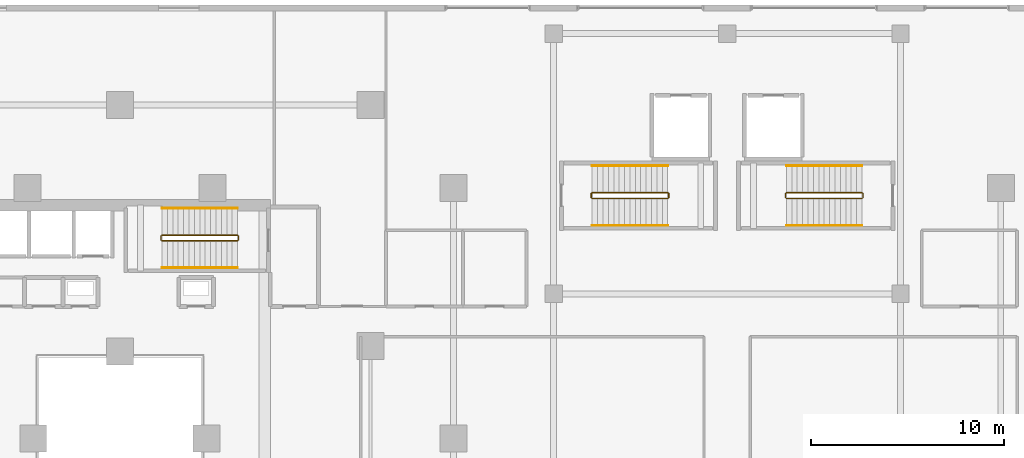
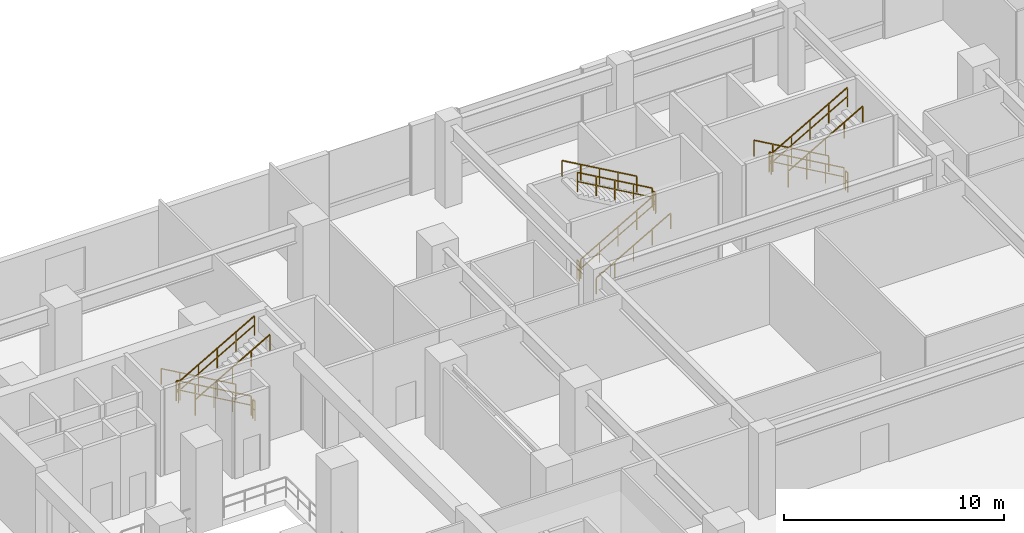
# One storey, part 21 of 22: 18 railings.
"""IFC4 building model written with IfcOpenShell, lengths in metres."""

from ifc_helpers import new_model, si_unit, direction, frame, origin, origin_2d, place, context, subcontext, project, spatial, rectangle, extrude, material, type_object, element, save


model = new_model("IFC4")

# Units and contexts
model_context = context("Model", 3, precision=1e-05, world=origin(), true_north=direction((0.0, 1.0)))
body_context = subcontext(model_context, "Body", "Model", "MODEL_VIEW")
ifc_project = project(units=[si_unit("LENGTHUNIT", "METRE"), si_unit("AREAUNIT", "SQUARE_METRE"), si_unit("VOLUMEUNIT", "CUBIC_METRE"), si_unit("PLANEANGLEUNIT", "RADIAN"), si_unit("MASSUNIT", "GRAM", prefix="KILO")], contexts=[model_context])

# Site, building, storey
site_placement = place(None, origin())
site = spatial("IfcSite", under=ifc_project, at=site_placement, CompositionType="ELEMENT")
building_placement = place(site_placement, origin())
building = spatial("IfcBuilding", under=site, at=building_placement, Name="Thornwick Lancets Civic Towers", CompositionType="ELEMENT")
storey_placement = place(building_placement, frame((0.0, 0.0, 4.800048828125)))
storey = spatial("IfcBuildingStorey", under=building, at=storey_placement, Name="L01", CompositionType="ELEMENT", Elevation=4.800048828125)

# Railings
ifc_material_1 = material(Name="Brushed stainless steel S355", Category="steel")
railing_type_1 = type_object("IfcRailingType", Name="RAIL_HANDRAIL", PredefinedType="HANDRAIL", material=ifc_material_1)
railing_1_placement = place(storey_placement, frame((31.60009765625, 38.949951171875, 0.159912109375)))
element("IfcRailing", 1, at=railing_1_placement, inside=storey, type_object=railing_type_1, Name="L01 ST-A2 stair handrail 1", PredefinedType="HANDRAIL", context=body_context, shape_type="SweptSolid", body=[
    extrude(rectangle(XDim=0.048095703125, YDim=0.048095703125, at=origin_2d()), frame((0.0, 0.0, 0.8857421875), z_axis=(-0.86825312469, 0.0, 0.496121468458), x_axis=(0.0, -1.0, 0.0)), (0.0, 0.0, 1.0), 4.514892578125),
    extrude(rectangle(XDim=0.0419921875, YDim=0.0419921875, at=origin_2d()), origin(), (0.0, 0.0, 1.0), 0.855712890625),
    extrude(rectangle(XDim=0.0419921875, YDim=0.0419921875, at=origin_2d()), frame((-0.97998046875, 0.0, 0.56005859375)), (0.0, 0.0, 1.0), 0.855712890625),
    extrude(rectangle(XDim=0.0419921875, YDim=0.0419921875, at=origin_2d()), frame((-1.9599609375, 0.0, 1.1201171875)), (0.0, 0.0, 1.0), 0.855712890625),
    extrude(rectangle(XDim=0.0419921875, YDim=0.0419921875, at=origin_2d()), frame((-2.940185546875, 0.0, 1.679931640625)), (0.0, 0.0, 1.0), 0.855712890625),
    extrude(rectangle(XDim=0.0419921875, YDim=0.0419921875, at=origin_2d()), frame((-3.920166015625, 0.0, 2.239990234375)), (0.0, 0.0, 1.0), 0.855712890625),
])
railing_2_placement = place(storey_placement, frame((27.679931640625, 35.85009765625, 2.56005859375)))
element("IfcRailing", 2, at=railing_2_placement, inside=storey, type_object=railing_type_1, Name="L01 ST-A2 stair handrail 2", PredefinedType="HANDRAIL", context=body_context, shape_type="SweptSolid", body=[
    extrude(rectangle(XDim=0.048095703125, YDim=0.048095703125, at=origin_2d()), frame((0.0, 0.0, 0.8857421875), z_axis=(0.86825312469, 0.0, 0.496121468458), x_axis=(0.0, 1.0, 0.0)), (0.0, 0.0, 1.0), 4.514892578125),
    extrude(rectangle(XDim=0.0419921875, YDim=0.0419921875, at=origin_2d()), origin(), (0.0, 0.0, 1.0), 0.855712890625),
    extrude(rectangle(XDim=0.0419921875, YDim=0.0419921875, at=origin_2d()), frame((0.97998046875, 0.0, 0.56005859375)), (0.0, 0.0, 1.0), 0.855712890625),
    extrude(rectangle(XDim=0.0419921875, YDim=0.0419921875, at=origin_2d()), frame((1.9599609375, 0.0, 1.1201171875)), (0.0, 0.0, 1.0), 0.855712890625),
    extrude(rectangle(XDim=0.0419921875, YDim=0.0419921875, at=origin_2d()), frame((2.940185546875, 0.0, 1.679931640625)), (0.0, 0.0, 1.0), 0.855712890625),
    extrude(rectangle(XDim=0.0419921875, YDim=0.0419921875, at=origin_2d()), frame((3.920166015625, 0.0, 2.239990234375)), (0.0, 0.0, 1.0), 0.855712890625),
])
railing_3_placement = place(storey_placement, frame((50.0, 38.050048828125, 0.159912109375)))
element("IfcRailing", 3, at=railing_3_placement, inside=storey, type_object=railing_type_1, Name="L01 ST-P5 stair handrail 1", PredefinedType="HANDRAIL", context=body_context, shape_type="SweptSolid", body=[
    extrude(rectangle(XDim=0.048095703125, YDim=0.048095703125, at=origin_2d()), frame((0.0, 0.0, 0.8857421875), z_axis=(0.868239814368, 0.0, 0.496144761885), x_axis=(0.0, 1.0, 0.0)), (0.0, 0.0, 1.0), 4.514892578125),
    extrude(rectangle(XDim=0.0419921875, YDim=0.0419921875, at=origin_2d()), origin(), (0.0, 0.0, 1.0), 0.855712890625),
    extrude(rectangle(XDim=0.0419921875, YDim=0.0419921875, at=origin_2d()), frame((0.97998046875, 0.0, 0.56005859375)), (0.0, 0.0, 1.0), 0.855712890625),
    extrude(rectangle(XDim=0.0419921875, YDim=0.0419921875, at=origin_2d()), frame((1.9599609375, 0.0, 1.1201171875)), (0.0, 0.0, 1.0), 0.855712890625),
    extrude(rectangle(XDim=0.0419921875, YDim=0.0419921875, at=origin_2d()), frame((2.93994140625, 0.0, 1.679931640625)), (0.0, 0.0, 1.0), 0.855712890625),
    extrude(rectangle(XDim=0.0419921875, YDim=0.0419921875, at=origin_2d()), frame((3.919921875, 0.0, 2.239990234375)), (0.0, 0.0, 1.0), 0.855712890625),
])
for number, where, name in (
    (4, (53.919921875, 41.14990234375, 2.56005859375), "L01 ST-P5 stair handrail 2"),
    (5, (64.0, 41.14990234375, 0.159912109375), "L01 ST-P6 stair handrail 1"),
):
    element("IfcRailing", number, at=place(storey_placement, frame(where)), inside=storey, type_object=railing_type_1, Name=name, PredefinedType="HANDRAIL", context=body_context, shape_type="SweptSolid", body=[
        extrude(rectangle(XDim=0.048095703125, YDim=0.048095703125, at=origin_2d()), frame((0.0, 0.0, 0.8857421875), z_axis=(-0.868239814368, 0.0, 0.496144761885), x_axis=(0.0, -1.0, 0.0)), (0.0, 0.0, 1.0), 4.514892578125),
        extrude(rectangle(XDim=0.0419921875, YDim=0.0419921875, at=origin_2d()), origin(), (0.0, 0.0, 1.0), 0.855712890625),
        extrude(rectangle(XDim=0.0419921875, YDim=0.0419921875, at=origin_2d()), frame((-0.97998046875, 0.0, 0.56005859375)), (0.0, 0.0, 1.0), 0.855712890625),
        extrude(rectangle(XDim=0.0419921875, YDim=0.0419921875, at=origin_2d()), frame((-1.9599609375, 0.0, 1.1201171875)), (0.0, 0.0, 1.0), 0.855712890625),
        extrude(rectangle(XDim=0.0419921875, YDim=0.0419921875, at=origin_2d()), frame((-2.93994140625, 0.0, 1.679931640625)), (0.0, 0.0, 1.0), 0.855712890625),
        extrude(rectangle(XDim=0.0419921875, YDim=0.0419921875, at=origin_2d()), frame((-3.919921875, 0.0, 2.239990234375)), (0.0, 0.0, 1.0), 0.855712890625),
    ])
railing_4_placement = place(storey_placement, frame((60.080078125, 38.050048828125, 2.56005859375)))
element("IfcRailing", 6, at=railing_4_placement, inside=storey, type_object=railing_type_1, Name="L01 ST-P6 stair handrail 2", PredefinedType="HANDRAIL", context=body_context, shape_type="SweptSolid", body=[
    extrude(rectangle(XDim=0.048095703125, YDim=0.048095703125, at=origin_2d()), frame((0.0, 0.0, 0.8857421875), z_axis=(0.868239814368, 0.0, 0.496144761885), x_axis=(0.0, 1.0, 0.0)), (0.0, 0.0, 1.0), 4.514892578125),
    extrude(rectangle(XDim=0.0419921875, YDim=0.0419921875, at=origin_2d()), origin(), (0.0, 0.0, 1.0), 0.855712890625),
    extrude(rectangle(XDim=0.0419921875, YDim=0.0419921875, at=origin_2d()), frame((0.97998046875, 0.0, 0.56005859375)), (0.0, 0.0, 1.0), 0.855712890625),
    extrude(rectangle(XDim=0.0419921875, YDim=0.0419921875, at=origin_2d()), frame((1.9599609375, 0.0, 1.1201171875)), (0.0, 0.0, 1.0), 0.855712890625),
    extrude(rectangle(XDim=0.0419921875, YDim=0.0419921875, at=origin_2d()), frame((2.93994140625, 0.0, 1.679931640625)), (0.0, 0.0, 1.0), 0.855712890625),
    extrude(rectangle(XDim=0.0419921875, YDim=0.0419921875, at=origin_2d()), frame((3.919921875, 0.0, 2.239990234375)), (0.0, 0.0, 1.0), 0.855712890625),
])
ifc_material_2 = material(Name="Steel S355JR", Category="steel")
railing_type_2 = type_object("IfcRailingType", Name="RAIL_STAIR_GUARD", PredefinedType="GUARDRAIL", material=ifc_material_2)
railing_5_placement = place(storey_placement, frame((31.60009765625, 37.550048828125, 0.159912109375)))
element("IfcRailing", 7, at=railing_5_placement, inside=storey, type_object=railing_type_2, Name="L01 ST-A2 stair guard 1", PredefinedType="GUARDRAIL", context=body_context, shape_type="SweptSolid", body=[
    extrude(rectangle(XDim=0.048095703125, YDim=0.048095703125, at=origin_2d()), frame((0.0, 0.0, 1.076171875), z_axis=(-0.86825312469, 0.0, 0.496121468458), x_axis=(0.0, -1.0, 0.0)), (0.0, 0.0, 1.0), 4.514892578125),
    extrude(rectangle(XDim=0.0419921875, YDim=0.0419921875, at=origin_2d()), frame((-0.032470703125, 0.0, 0.590576171875), z_axis=(-0.86825312469, 0.0, 0.496121468458), x_axis=(0.0, -1.0, 0.0)), (0.0, 0.0, 1.0), 1.0537109375),
    extrude(rectangle(XDim=0.0419921875, YDim=0.0419921875, at=origin_2d()), frame((-1.0126953125, 0.0, 1.150634765625), z_axis=(-0.86825312469, 0.0, 0.496121468458), x_axis=(0.0, -1.0, 0.0)), (0.0, 0.0, 1.0), 1.0537109375),
    extrude(rectangle(XDim=0.0419921875, YDim=0.0419921875, at=origin_2d()), frame((-1.99267578125, 0.0, 1.710693359375), z_axis=(-0.86825312469, 0.0, 0.496121468458), x_axis=(0.0, -1.0, 0.0)), (0.0, 0.0, 1.0), 1.0537109375),
    extrude(rectangle(XDim=0.0419921875, YDim=0.0419921875, at=origin_2d()), frame((-2.97265625, 0.0, 2.270751953125), z_axis=(-0.86825312469, 0.0, 0.496121468458), x_axis=(0.0, -1.0, 0.0)), (0.0, 0.0, 1.0), 1.0537109375),
    extrude(rectangle(XDim=0.0419921875, YDim=0.0419921875, at=origin_2d()), origin(), (0.0, 0.0, 1.0), 1.0458984375),
    extrude(rectangle(XDim=0.0419921875, YDim=0.0419921875, at=origin_2d()), frame((-0.97998046875, 0.0, 0.56005859375)), (0.0, 0.0, 1.0), 1.0458984375),
    extrude(rectangle(XDim=0.0419921875, YDim=0.0419921875, at=origin_2d()), frame((-1.9599609375, 0.0, 1.1201171875)), (0.0, 0.0, 1.0), 1.0458984375),
    extrude(rectangle(XDim=0.0419921875, YDim=0.0419921875, at=origin_2d()), frame((-2.940185546875, 0.0, 1.679931640625)), (0.0, 0.0, 1.0), 1.0458984375),
    extrude(rectangle(XDim=0.0419921875, YDim=0.0419921875, at=origin_2d()), frame((-3.920166015625, 0.0, 2.239990234375)), (0.0, 0.0, 1.0), 1.0458984375),
])
railing_6_placement = place(storey_placement, frame((27.6298828125, 37.5, 2.39990234375)))
element("IfcRailing", 8, at=railing_6_placement, inside=storey, type_object=railing_type_2, Name="L01 ST-A2 stair guard 2", PredefinedType="GUARDRAIL", context=body_context, shape_type="SweptSolid", body=[
    extrude(rectangle(XDim=0.048095703125, YDim=0.048095703125, at=origin_2d()), frame((0.0, 0.0, 1.076171875), z_axis=(0.0, -1.0, 0.0), x_axis=(1.0, 0.0, 0.0)), (0.0, 0.0, 1.0), 0.199951171875),
    extrude(rectangle(XDim=0.0419921875, YDim=0.0419921875, at=origin_2d()), frame((0.0, -0.03759765625, 0.572021484375), z_axis=(0.0, -1.0, 0.0), x_axis=(1.0, 0.0, 0.0)), (0.0, 0.0, 1.0), 0.125),
    extrude(rectangle(XDim=0.0419921875, YDim=0.0419921875, at=origin_2d()), origin(), (0.0, 0.0, 1.0), 1.0458984375),
    extrude(rectangle(XDim=0.0419921875, YDim=0.0419921875, at=origin_2d()), frame((0.0, -0.199951171875, 0.0)), (0.0, 0.0, 1.0), 1.0458984375),
])
railing_7_placement = place(storey_placement, frame((27.679931640625, 37.25, 2.56005859375)))
element("IfcRailing", 9, at=railing_7_placement, inside=storey, type_object=railing_type_2, Name="L01 ST-A2 stair guard 3", PredefinedType="GUARDRAIL", context=body_context, shape_type="SweptSolid", body=[
    extrude(rectangle(XDim=0.048095703125, YDim=0.048095703125, at=origin_2d()), frame((0.0, 0.0, 1.076171875), z_axis=(0.86825312469, 0.0, 0.496121468458), x_axis=(0.0, 1.0, 0.0)), (0.0, 0.0, 1.0), 4.514892578125),
    extrude(rectangle(XDim=0.0419921875, YDim=0.0419921875, at=origin_2d()), frame((0.032470703125, 0.0, 0.590576171875), z_axis=(0.86825312469, 0.0, 0.496121468458), x_axis=(0.0, 1.0, 0.0)), (0.0, 0.0, 1.0), 1.0537109375),
    extrude(rectangle(XDim=0.0419921875, YDim=0.0419921875, at=origin_2d()), frame((1.0126953125, 0.0, 1.150634765625), z_axis=(0.86825312469, 0.0, 0.496121468458), x_axis=(0.0, 1.0, 0.0)), (0.0, 0.0, 1.0), 1.0537109375),
    extrude(rectangle(XDim=0.0419921875, YDim=0.0419921875, at=origin_2d()), frame((1.99267578125, 0.0, 1.710693359375), z_axis=(0.86825312469, 0.0, 0.496121468458), x_axis=(0.0, 1.0, 0.0)), (0.0, 0.0, 1.0), 1.0537109375),
    extrude(rectangle(XDim=0.0419921875, YDim=0.0419921875, at=origin_2d()), frame((2.97265625, 0.0, 2.270751953125), z_axis=(0.86825312469, 0.0, 0.496121468458), x_axis=(0.0, 1.0, 0.0)), (0.0, 0.0, 1.0), 1.0537109375),
    extrude(rectangle(XDim=0.0419921875, YDim=0.0419921875, at=origin_2d()), origin(), (0.0, 0.0, 1.0), 1.0458984375),
    extrude(rectangle(XDim=0.0419921875, YDim=0.0419921875, at=origin_2d()), frame((0.97998046875, 0.0, 0.56005859375)), (0.0, 0.0, 1.0), 1.0458984375),
    extrude(rectangle(XDim=0.0419921875, YDim=0.0419921875, at=origin_2d()), frame((1.9599609375, 0.0, 1.1201171875)), (0.0, 0.0, 1.0), 1.0458984375),
    extrude(rectangle(XDim=0.0419921875, YDim=0.0419921875, at=origin_2d()), frame((2.940185546875, 0.0, 1.679931640625)), (0.0, 0.0, 1.0), 1.0458984375),
    extrude(rectangle(XDim=0.0419921875, YDim=0.0419921875, at=origin_2d()), frame((3.920166015625, 0.0, 2.239990234375)), (0.0, 0.0, 1.0), 1.0458984375),
])
railing_8_placement = place(storey_placement, frame((31.64990234375, 37.5, 0.0)))
element("IfcRailing", 10, at=railing_8_placement, inside=storey, type_object=railing_type_2, Name="L01 ST-A2 stair guard 4", PredefinedType="GUARDRAIL", context=body_context, shape_type="SweptSolid", body=[
    extrude(rectangle(XDim=0.048095703125, YDim=0.048095703125, at=origin_2d()), frame((0.0, 0.0, 1.076171875), z_axis=(0.0, -1.0, 0.0), x_axis=(1.0, 0.0, 0.0)), (0.0, 0.0, 1.0), 0.199951171875),
    extrude(rectangle(XDim=0.0419921875, YDim=0.0419921875, at=origin_2d()), frame((0.0, -0.03759765625, 0.572021484375), z_axis=(0.0, -1.0, 0.0), x_axis=(1.0, 0.0, 0.0)), (0.0, 0.0, 1.0), 0.125),
    extrude(rectangle(XDim=0.0419921875, YDim=0.0419921875, at=origin_2d()), origin(), (0.0, 0.0, 1.0), 1.0458984375),
    extrude(rectangle(XDim=0.0419921875, YDim=0.0419921875, at=origin_2d()), frame((0.0, -0.199951171875, 0.0)), (0.0, 0.0, 1.0), 1.0458984375),
])
railing_9_placement = place(storey_placement, frame((50.0, 39.449951171875, 0.159912109375)))
element("IfcRailing", 11, at=railing_9_placement, inside=storey, type_object=railing_type_2, Name="L01 ST-P5 stair guard 1", PredefinedType="GUARDRAIL", context=body_context, shape_type="SweptSolid", body=[
    extrude(rectangle(XDim=0.048095703125, YDim=0.048095703125, at=origin_2d()), frame((0.0, 0.0, 1.076171875), z_axis=(0.868239814368, 0.0, 0.496144761885), x_axis=(0.0, 1.0, 0.0)), (0.0, 0.0, 1.0), 4.514892578125),
    extrude(rectangle(XDim=0.0419921875, YDim=0.0419921875, at=origin_2d()), frame((0.032470703125, 0.0, 0.590576171875), z_axis=(0.868239814368, 0.0, 0.496144761885), x_axis=(0.0, 1.0, 0.0)), (0.0, 0.0, 1.0), 1.0537109375),
    extrude(rectangle(XDim=0.0419921875, YDim=0.0419921875, at=origin_2d()), frame((1.012451171875, 0.0, 1.150634765625), z_axis=(0.868239814368, 0.0, 0.496144761885), x_axis=(0.0, 1.0, 0.0)), (0.0, 0.0, 1.0), 1.0537109375),
    extrude(rectangle(XDim=0.0419921875, YDim=0.0419921875, at=origin_2d()), frame((1.992431640625, 0.0, 1.710693359375), z_axis=(0.868239814368, 0.0, 0.496144761885), x_axis=(0.0, 1.0, 0.0)), (0.0, 0.0, 1.0), 1.0537109375),
    extrude(rectangle(XDim=0.0419921875, YDim=0.0419921875, at=origin_2d()), frame((2.972412109375, 0.0, 2.270751953125), z_axis=(0.868239814368, 0.0, 0.496144761885), x_axis=(0.0, 1.0, 0.0)), (0.0, 0.0, 1.0), 1.0537109375),
    extrude(rectangle(XDim=0.0419921875, YDim=0.0419921875, at=origin_2d()), origin(), (0.0, 0.0, 1.0), 1.0458984375),
    extrude(rectangle(XDim=0.0419921875, YDim=0.0419921875, at=origin_2d()), frame((0.97998046875, 0.0, 0.56005859375)), (0.0, 0.0, 1.0), 1.0458984375),
    extrude(rectangle(XDim=0.0419921875, YDim=0.0419921875, at=origin_2d()), frame((1.9599609375, 0.0, 1.1201171875)), (0.0, 0.0, 1.0), 1.0458984375),
    extrude(rectangle(XDim=0.0419921875, YDim=0.0419921875, at=origin_2d()), frame((2.93994140625, 0.0, 1.679931640625)), (0.0, 0.0, 1.0), 1.0458984375),
    extrude(rectangle(XDim=0.0419921875, YDim=0.0419921875, at=origin_2d()), frame((3.919921875, 0.0, 2.239990234375)), (0.0, 0.0, 1.0), 1.0458984375),
])
railing_10_placement = place(storey_placement, frame((53.969970703125, 39.5, 2.39990234375)))
element("IfcRailing", 12, at=railing_10_placement, inside=storey, type_object=railing_type_2, Name="L01 ST-P5 stair guard 2", PredefinedType="GUARDRAIL", context=body_context, shape_type="SweptSolid", body=[
    extrude(rectangle(XDim=0.048095703125, YDim=0.048095703125, at=origin_2d()), frame((0.0, 0.0, 1.076171875), z_axis=(0.0, 1.0, 0.0), x_axis=(-1.0, 0.0, 0.0)), (0.0, 0.0, 1.0), 0.199951171875),
    extrude(rectangle(XDim=0.0419921875, YDim=0.0419921875, at=origin_2d()), frame((0.0, 0.03759765625, 0.572021484375), z_axis=(0.0, 1.0, 0.0), x_axis=(-1.0, 0.0, 0.0)), (0.0, 0.0, 1.0), 0.125),
    extrude(rectangle(XDim=0.0419921875, YDim=0.0419921875, at=origin_2d()), origin(), (0.0, 0.0, 1.0), 1.0458984375),
    extrude(rectangle(XDim=0.0419921875, YDim=0.0419921875, at=origin_2d()), frame((0.0, 0.199951171875, 0.0)), (0.0, 0.0, 1.0), 1.0458984375),
])
railing_11_placement = place(storey_placement, frame((53.919921875, 39.75, 2.56005859375)))
element("IfcRailing", 13, at=railing_11_placement, inside=storey, type_object=railing_type_2, Name="L01 ST-P5 stair guard 3", PredefinedType="GUARDRAIL", context=body_context, shape_type="SweptSolid", body=[
    extrude(rectangle(XDim=0.048095703125, YDim=0.048095703125, at=origin_2d()), frame((0.0, 0.0, 1.076171875), z_axis=(-0.868239814368, 0.0, 0.496144761885), x_axis=(0.0, -1.0, 0.0)), (0.0, 0.0, 1.0), 4.514892578125),
    extrude(rectangle(XDim=0.0419921875, YDim=0.0419921875, at=origin_2d()), frame((-0.032470703125, 0.0, 0.590576171875), z_axis=(-0.868239814368, 0.0, 0.496144761885), x_axis=(0.0, -1.0, 0.0)), (0.0, 0.0, 1.0), 1.0537109375),
    extrude(rectangle(XDim=0.0419921875, YDim=0.0419921875, at=origin_2d()), frame((-1.012451171875, 0.0, 1.150634765625), z_axis=(-0.868239814368, 0.0, 0.496144761885), x_axis=(0.0, -1.0, 0.0)), (0.0, 0.0, 1.0), 1.0537109375),
    extrude(rectangle(XDim=0.0419921875, YDim=0.0419921875, at=origin_2d()), frame((-1.992431640625, 0.0, 1.710693359375), z_axis=(-0.868239814368, 0.0, 0.496144761885), x_axis=(0.0, -1.0, 0.0)), (0.0, 0.0, 1.0), 1.0537109375),
    extrude(rectangle(XDim=0.0419921875, YDim=0.0419921875, at=origin_2d()), frame((-2.972412109375, 0.0, 2.270751953125), z_axis=(-0.868239814368, 0.0, 0.496144761885), x_axis=(0.0, -1.0, 0.0)), (0.0, 0.0, 1.0), 1.0537109375),
    extrude(rectangle(XDim=0.0419921875, YDim=0.0419921875, at=origin_2d()), origin(), (0.0, 0.0, 1.0), 1.0458984375),
    extrude(rectangle(XDim=0.0419921875, YDim=0.0419921875, at=origin_2d()), frame((-0.97998046875, 0.0, 0.56005859375)), (0.0, 0.0, 1.0), 1.0458984375),
    extrude(rectangle(XDim=0.0419921875, YDim=0.0419921875, at=origin_2d()), frame((-1.9599609375, 0.0, 1.1201171875)), (0.0, 0.0, 1.0), 1.0458984375),
    extrude(rectangle(XDim=0.0419921875, YDim=0.0419921875, at=origin_2d()), frame((-2.93994140625, 0.0, 1.679931640625)), (0.0, 0.0, 1.0), 1.0458984375),
    extrude(rectangle(XDim=0.0419921875, YDim=0.0419921875, at=origin_2d()), frame((-3.919921875, 0.0, 2.239990234375)), (0.0, 0.0, 1.0), 1.0458984375),
])
railing_12_placement = place(storey_placement, frame((49.949951171875, 39.5, 0.0)))
element("IfcRailing", 14, at=railing_12_placement, inside=storey, type_object=railing_type_2, Name="L01 ST-P5 stair guard 4", PredefinedType="GUARDRAIL", context=body_context, shape_type="SweptSolid", body=[
    extrude(rectangle(XDim=0.048095703125, YDim=0.048095703125, at=origin_2d()), frame((0.0, 0.0, 1.076171875), z_axis=(0.0, 1.0, 0.0), x_axis=(-1.0, 0.0, 0.0)), (0.0, 0.0, 1.0), 0.199951171875),
    extrude(rectangle(XDim=0.0419921875, YDim=0.0419921875, at=origin_2d()), frame((0.0, 0.03759765625, 0.572021484375), z_axis=(0.0, 1.0, 0.0), x_axis=(-1.0, 0.0, 0.0)), (0.0, 0.0, 1.0), 0.125),
    extrude(rectangle(XDim=0.0419921875, YDim=0.0419921875, at=origin_2d()), origin(), (0.0, 0.0, 1.0), 1.0458984375),
    extrude(rectangle(XDim=0.0419921875, YDim=0.0419921875, at=origin_2d()), frame((0.0, 0.199951171875, 0.0)), (0.0, 0.0, 1.0), 1.0458984375),
])
railing_13_placement = place(storey_placement, frame((64.0, 39.75, 0.159912109375)))
element("IfcRailing", 15, at=railing_13_placement, inside=storey, type_object=railing_type_2, Name="L01 ST-P6 stair guard 1", PredefinedType="GUARDRAIL", context=body_context, shape_type="SweptSolid", body=[
    extrude(rectangle(XDim=0.048095703125, YDim=0.048095703125, at=origin_2d()), frame((0.0, 0.0, 1.076171875), z_axis=(-0.868239814368, 0.0, 0.496144761885), x_axis=(0.0, -1.0, 0.0)), (0.0, 0.0, 1.0), 4.514892578125),
    extrude(rectangle(XDim=0.0419921875, YDim=0.0419921875, at=origin_2d()), frame((-0.032470703125, 0.0, 0.590576171875), z_axis=(-0.868239814368, 0.0, 0.496144761885), x_axis=(0.0, -1.0, 0.0)), (0.0, 0.0, 1.0), 1.0537109375),
    extrude(rectangle(XDim=0.0419921875, YDim=0.0419921875, at=origin_2d()), frame((-1.012451171875, 0.0, 1.150634765625), z_axis=(-0.868239814368, 0.0, 0.496144761885), x_axis=(0.0, -1.0, 0.0)), (0.0, 0.0, 1.0), 1.0537109375),
    extrude(rectangle(XDim=0.0419921875, YDim=0.0419921875, at=origin_2d()), frame((-1.992431640625, 0.0, 1.710693359375), z_axis=(-0.868239814368, 0.0, 0.496144761885), x_axis=(0.0, -1.0, 0.0)), (0.0, 0.0, 1.0), 1.0537109375),
    extrude(rectangle(XDim=0.0419921875, YDim=0.0419921875, at=origin_2d()), frame((-2.972412109375, 0.0, 2.270751953125), z_axis=(-0.868239814368, 0.0, 0.496144761885), x_axis=(0.0, -1.0, 0.0)), (0.0, 0.0, 1.0), 1.0537109375),
    extrude(rectangle(XDim=0.0419921875, YDim=0.0419921875, at=origin_2d()), origin(), (0.0, 0.0, 1.0), 1.0458984375),
    extrude(rectangle(XDim=0.0419921875, YDim=0.0419921875, at=origin_2d()), frame((-0.97998046875, 0.0, 0.56005859375)), (0.0, 0.0, 1.0), 1.0458984375),
    extrude(rectangle(XDim=0.0419921875, YDim=0.0419921875, at=origin_2d()), frame((-1.9599609375, 0.0, 1.1201171875)), (0.0, 0.0, 1.0), 1.0458984375),
    extrude(rectangle(XDim=0.0419921875, YDim=0.0419921875, at=origin_2d()), frame((-2.93994140625, 0.0, 1.679931640625)), (0.0, 0.0, 1.0), 1.0458984375),
    extrude(rectangle(XDim=0.0419921875, YDim=0.0419921875, at=origin_2d()), frame((-3.919921875, 0.0, 2.239990234375)), (0.0, 0.0, 1.0), 1.0458984375),
])
railing_14_placement = place(storey_placement, frame((60.030029296875, 39.699951171875, 2.39990234375)))
element("IfcRailing", 16, at=railing_14_placement, inside=storey, type_object=railing_type_2, Name="L01 ST-P6 stair guard 2", PredefinedType="GUARDRAIL", context=body_context, shape_type="SweptSolid", body=[
    extrude(rectangle(XDim=0.048095703125, YDim=0.048095703125, at=origin_2d()), frame((0.0, 0.0, 1.076171875), z_axis=(0.0, -1.0, 0.0), x_axis=(1.0, 0.0, 0.0)), (0.0, 0.0, 1.0), 0.199951171875),
    extrude(rectangle(XDim=0.0419921875, YDim=0.0419921875, at=origin_2d()), frame((0.0, -0.03759765625, 0.572021484375), z_axis=(0.0, -1.0, 0.0), x_axis=(1.0, 0.0, 0.0)), (0.0, 0.0, 1.0), 0.125),
    extrude(rectangle(XDim=0.0419921875, YDim=0.0419921875, at=origin_2d()), origin(), (0.0, 0.0, 1.0), 1.0458984375),
    extrude(rectangle(XDim=0.0419921875, YDim=0.0419921875, at=origin_2d()), frame((0.0, -0.199951171875, 0.0)), (0.0, 0.0, 1.0), 1.0458984375),
])
railing_15_placement = place(storey_placement, frame((60.080078125, 39.449951171875, 2.56005859375)))
element("IfcRailing", 17, at=railing_15_placement, inside=storey, type_object=railing_type_2, Name="L01 ST-P6 stair guard 3", PredefinedType="GUARDRAIL", context=body_context, shape_type="SweptSolid", body=[
    extrude(rectangle(XDim=0.048095703125, YDim=0.048095703125, at=origin_2d()), frame((0.0, 0.0, 1.076171875), z_axis=(0.868239814368, 0.0, 0.496144761885), x_axis=(0.0, 1.0, 0.0)), (0.0, 0.0, 1.0), 4.514892578125),
    extrude(rectangle(XDim=0.0419921875, YDim=0.0419921875, at=origin_2d()), frame((0.032470703125, 0.0, 0.590576171875), z_axis=(0.868239814368, 0.0, 0.496144761885), x_axis=(0.0, 1.0, 0.0)), (0.0, 0.0, 1.0), 1.0537109375),
    extrude(rectangle(XDim=0.0419921875, YDim=0.0419921875, at=origin_2d()), frame((1.012451171875, 0.0, 1.150634765625), z_axis=(0.868239814368, 0.0, 0.496144761885), x_axis=(0.0, 1.0, 0.0)), (0.0, 0.0, 1.0), 1.0537109375),
    extrude(rectangle(XDim=0.0419921875, YDim=0.0419921875, at=origin_2d()), frame((1.992431640625, 0.0, 1.710693359375), z_axis=(0.868239814368, 0.0, 0.496144761885), x_axis=(0.0, 1.0, 0.0)), (0.0, 0.0, 1.0), 1.0537109375),
    extrude(rectangle(XDim=0.0419921875, YDim=0.0419921875, at=origin_2d()), frame((2.972412109375, 0.0, 2.270751953125), z_axis=(0.868239814368, 0.0, 0.496144761885), x_axis=(0.0, 1.0, 0.0)), (0.0, 0.0, 1.0), 1.0537109375),
    extrude(rectangle(XDim=0.0419921875, YDim=0.0419921875, at=origin_2d()), origin(), (0.0, 0.0, 1.0), 1.0458984375),
    extrude(rectangle(XDim=0.0419921875, YDim=0.0419921875, at=origin_2d()), frame((0.97998046875, 0.0, 0.56005859375)), (0.0, 0.0, 1.0), 1.0458984375),
    extrude(rectangle(XDim=0.0419921875, YDim=0.0419921875, at=origin_2d()), frame((1.9599609375, 0.0, 1.1201171875)), (0.0, 0.0, 1.0), 1.0458984375),
    extrude(rectangle(XDim=0.0419921875, YDim=0.0419921875, at=origin_2d()), frame((2.93994140625, 0.0, 1.679931640625)), (0.0, 0.0, 1.0), 1.0458984375),
    extrude(rectangle(XDim=0.0419921875, YDim=0.0419921875, at=origin_2d()), frame((3.919921875, 0.0, 2.239990234375)), (0.0, 0.0, 1.0), 1.0458984375),
])
railing_16_placement = place(storey_placement, frame((64.050048828125, 39.699951171875, 0.0)))
element("IfcRailing", 18, at=railing_16_placement, inside=storey, type_object=railing_type_2, Name="L01 ST-P6 stair guard 4", PredefinedType="GUARDRAIL", context=body_context, shape_type="SweptSolid", body=[
    extrude(rectangle(XDim=0.048095703125, YDim=0.048095703125, at=origin_2d()), frame((0.0, 0.0, 1.076171875), z_axis=(0.0, -1.0, 0.0), x_axis=(1.0, 0.0, 0.0)), (0.0, 0.0, 1.0), 0.199951171875),
    extrude(rectangle(XDim=0.0419921875, YDim=0.0419921875, at=origin_2d()), frame((0.0, -0.03759765625, 0.572021484375), z_axis=(0.0, -1.0, 0.0), x_axis=(1.0, 0.0, 0.0)), (0.0, 0.0, 1.0), 0.125),
    extrude(rectangle(XDim=0.0419921875, YDim=0.0419921875, at=origin_2d()), origin(), (0.0, 0.0, 1.0), 1.0458984375),
    extrude(rectangle(XDim=0.0419921875, YDim=0.0419921875, at=origin_2d()), frame((0.0, -0.199951171875, 0.0)), (0.0, 0.0, 1.0), 1.0458984375),
])

save(model, "model.ifc")
